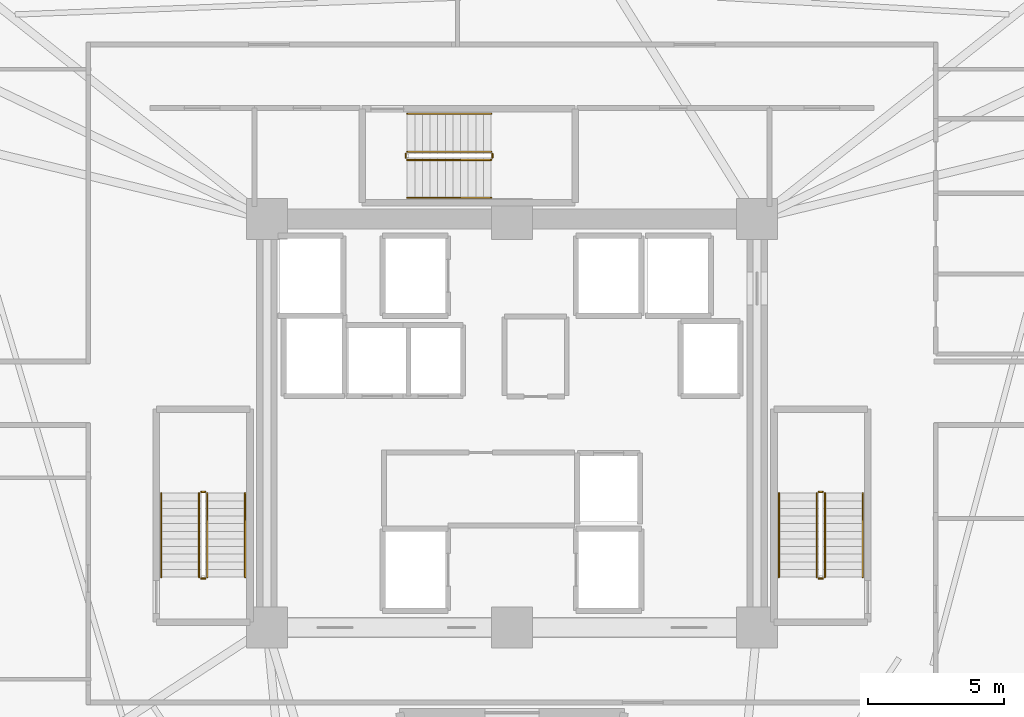
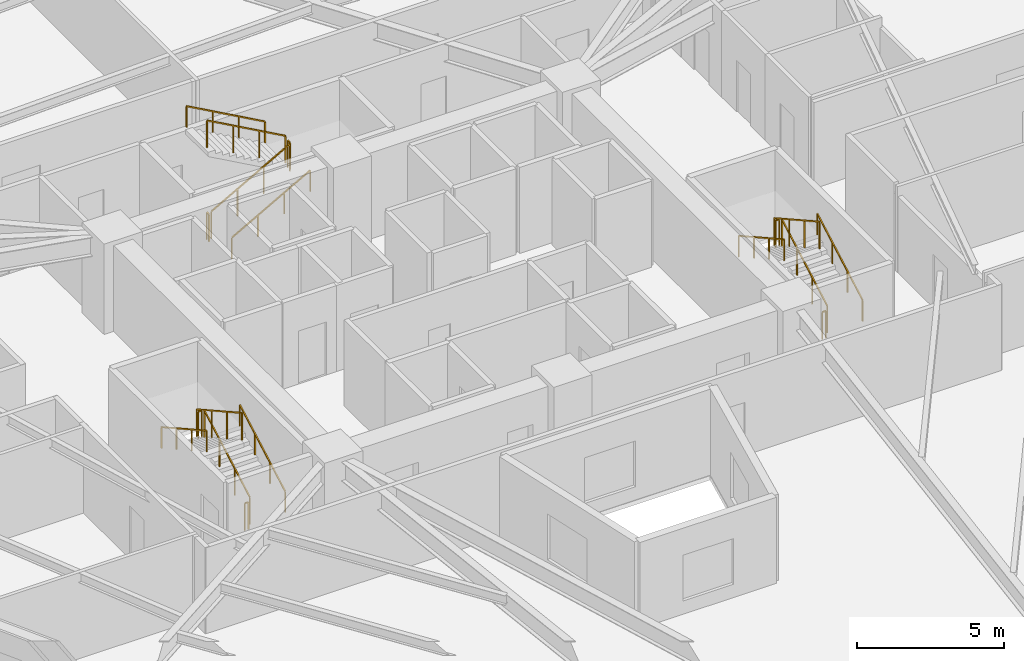
# One storey, part 7 of 7: 18 railings.
"""IFC4 building model written with IfcOpenShell, lengths in metres."""

from ifc_helpers import new_model, si_unit, direction, frame, origin, origin_2d, place, context, subcontext, project, spatial, rectangle, extrude, material, type_object, element, save


model = new_model("IFC4")

# Units and contexts
model_context = context("Model", 3, precision=1e-05, world=origin(), true_north=direction((0.0, 1.0)))
body_context = subcontext(model_context, "Body", "Model", "MODEL_VIEW")
ifc_project = project(units=[si_unit("LENGTHUNIT", "METRE"), si_unit("AREAUNIT", "SQUARE_METRE"), si_unit("VOLUMEUNIT", "CUBIC_METRE"), si_unit("PLANEANGLEUNIT", "RADIAN"), si_unit("MASSUNIT", "GRAM", prefix="KILO")], contexts=[model_context])

# Site, building, storey
site_placement = place(None, origin())
site = spatial("IfcSite", under=ifc_project, at=site_placement, CompositionType="ELEMENT")
building_placement = place(site_placement, origin())
building = spatial("IfcBuilding", under=site, at=building_placement, Name="Liaohun Quay Tower", CompositionType="ELEMENT")
storey_placement = place(building_placement, frame((0.0, 0.0, 113.25)))
storey = spatial("IfcBuildingStorey", under=building, at=storey_placement, Name="L29", CompositionType="ELEMENT", Elevation=113.25)

# Railings
ifc_material_1 = material(Name="Painted tubular steel", Category="steel")
railing_type_1 = type_object("IfcRailingType", Name="RLG-GUARD-STR", PredefinedType="GUARDRAIL", material=ifc_material_1)
railing_1_placement = place(storey_placement, frame((48.81005859375, 48.35009765625, 0.15625)))
element("IfcRailing", 1, at=railing_1_placement, inside=storey, type_object=railing_type_1, Name="L29 ST-1 stair guard 1", PredefinedType="GUARDRAIL", context=body_context, shape_type="SweptSolid", body=[
    extrude(rectangle(XDim=0.048095703125, YDim=0.048095703125, at=origin_2d()), frame((0.0, 0.0, 1.1259765625), z_axis=(0.0, 0.873225103656, 0.487317061414), x_axis=(-1.0, 0.0, 0.0)), (0.0, 0.0, 1.0), 3.52685546875),
    extrude(rectangle(XDim=0.0419921875, YDim=0.0419921875, at=origin_2d()), origin(), (0.0, 0.0, 1.0), 1.101806640625),
    extrude(rectangle(XDim=0.0419921875, YDim=0.0419921875, at=origin_2d()), frame((0.0, 1.026611328125, 0.572998046875)), (0.0, 0.0, 1.0), 1.101806640625),
    extrude(rectangle(XDim=0.0419921875, YDim=0.0419921875, at=origin_2d()), frame((0.0, 2.05322265625, 1.145751953125)), (0.0, 0.0, 1.0), 1.101806640625),
    extrude(rectangle(XDim=0.0419921875, YDim=0.0419921875, at=origin_2d()), frame((0.0, 3.079833984375, 1.71875)), (0.0, 0.0, 1.0), 1.101806640625),
])
railing_2_placement = place(storey_placement, frame((48.72998046875, 51.47998046875, 1.875)))
element("IfcRailing", 2, at=railing_2_placement, inside=storey, type_object=railing_type_1, Name="L29 ST-1 stair guard 2", PredefinedType="GUARDRAIL", context=body_context, shape_type="SweptSolid", body=[
    extrude(rectangle(XDim=0.048095703125, YDim=0.048095703125, at=origin_2d()), frame((0.0, 0.0, 1.1259765625), z_axis=(-1.0, 0.0, 0.0), x_axis=(0.0, -1.0, 0.0)), (0.0, 0.0, 1.0), 0.139892578125),
    extrude(rectangle(XDim=0.0419921875, YDim=0.0419921875, at=origin_2d()), origin(), (0.0, 0.0, 1.0), 1.101806640625),
    extrude(rectangle(XDim=0.0419921875, YDim=0.0419921875, at=origin_2d()), frame((-0.139892578125, 0.0, 0.0)), (0.0, 0.0, 1.0), 1.101806640625),
])
railing_3_placement = place(storey_placement, frame((48.510009765625, 51.429931640625, 2.03125)))
element("IfcRailing", 3, at=railing_3_placement, inside=storey, type_object=railing_type_1, Name="L29 ST-1 stair guard 3", PredefinedType="GUARDRAIL", context=body_context, shape_type="SweptSolid", body=[
    extrude(rectangle(XDim=0.048095703125, YDim=0.048095703125, at=origin_2d()), frame((0.0, 0.0, 1.1259765625), z_axis=(0.0, -0.873225103656, 0.487317061414), x_axis=(1.0, 0.0, 0.0)), (0.0, 0.0, 1.0), 3.52685546875),
    extrude(rectangle(XDim=0.0419921875, YDim=0.0419921875, at=origin_2d()), origin(), (0.0, 0.0, 1.0), 1.101806640625),
    extrude(rectangle(XDim=0.0419921875, YDim=0.0419921875, at=origin_2d()), frame((0.0, -1.026611328125, 0.572998046875)), (0.0, 0.0, 1.0), 1.101806640625),
    extrude(rectangle(XDim=0.0419921875, YDim=0.0419921875, at=origin_2d()), frame((0.0, -2.05322265625, 1.145751953125)), (0.0, 0.0, 1.0), 1.101806640625),
    extrude(rectangle(XDim=0.0419921875, YDim=0.0419921875, at=origin_2d()), frame((0.0, -3.079833984375, 1.71875)), (0.0, 0.0, 1.0), 1.101806640625),
])
railing_4_placement = place(storey_placement, frame((48.72998046875, 48.300048828125, 0.0)))
element("IfcRailing", 4, at=railing_4_placement, inside=storey, type_object=railing_type_1, Name="L29 ST-1 stair guard 4", PredefinedType="GUARDRAIL", context=body_context, shape_type="SweptSolid", body=[
    extrude(rectangle(XDim=0.048095703125, YDim=0.048095703125, at=origin_2d()), frame((0.0, 0.0, 1.1259765625), z_axis=(-1.0, 0.0, 0.0), x_axis=(0.0, -1.0, 0.0)), (0.0, 0.0, 1.0), 0.139892578125),
    extrude(rectangle(XDim=0.0419921875, YDim=0.0419921875, at=origin_2d()), origin(), (0.0, 0.0, 1.0), 1.101806640625),
    extrude(rectangle(XDim=0.0419921875, YDim=0.0419921875, at=origin_2d()), frame((-0.139892578125, 0.0, 0.0)), (0.0, 0.0, 1.0), 1.101806640625),
])
railing_5_placement = place(storey_placement, frame((71.489990234375, 48.35009765625, 0.15625)))
element("IfcRailing", 5, at=railing_5_placement, inside=storey, type_object=railing_type_1, Name="L29 ST-2 stair guard 1", PredefinedType="GUARDRAIL", context=body_context, shape_type="SweptSolid", body=[
    extrude(rectangle(XDim=0.048095703125, YDim=0.048095703125, at=origin_2d()), frame((0.0, 0.0, 1.1259765625), z_axis=(0.0, 0.873225103656, 0.487317061414), x_axis=(-1.0, 0.0, 0.0)), (0.0, 0.0, 1.0), 3.52685546875),
    extrude(rectangle(XDim=0.0419921875, YDim=0.0419921875, at=origin_2d()), origin(), (0.0, 0.0, 1.0), 1.101806640625),
    extrude(rectangle(XDim=0.0419921875, YDim=0.0419921875, at=origin_2d()), frame((0.0, 1.026611328125, 0.572998046875)), (0.0, 0.0, 1.0), 1.101806640625),
    extrude(rectangle(XDim=0.0419921875, YDim=0.0419921875, at=origin_2d()), frame((0.0, 2.05322265625, 1.145751953125)), (0.0, 0.0, 1.0), 1.101806640625),
    extrude(rectangle(XDim=0.0419921875, YDim=0.0419921875, at=origin_2d()), frame((0.0, 3.079833984375, 1.71875)), (0.0, 0.0, 1.0), 1.101806640625),
])
railing_6_placement = place(storey_placement, frame((71.409912109375, 51.47998046875, 1.875)))
element("IfcRailing", 6, at=railing_6_placement, inside=storey, type_object=railing_type_1, Name="L29 ST-2 stair guard 2", PredefinedType="GUARDRAIL", context=body_context, shape_type="SweptSolid", body=[
    extrude(rectangle(XDim=0.048095703125, YDim=0.048095703125, at=origin_2d()), frame((0.0, 0.0, 1.1259765625), z_axis=(-1.0, 0.0, 0.0), x_axis=(0.0, -1.0, 0.0)), (0.0, 0.0, 1.0), 0.139892578125),
    extrude(rectangle(XDim=0.0419921875, YDim=0.0419921875, at=origin_2d()), origin(), (0.0, 0.0, 1.0), 1.101806640625),
    extrude(rectangle(XDim=0.0419921875, YDim=0.0419921875, at=origin_2d()), frame((-0.139892578125, 0.0, 0.0)), (0.0, 0.0, 1.0), 1.101806640625),
])
railing_7_placement = place(storey_placement, frame((71.18994140625, 51.429931640625, 2.03125)))
element("IfcRailing", 7, at=railing_7_placement, inside=storey, type_object=railing_type_1, Name="L29 ST-2 stair guard 3", PredefinedType="GUARDRAIL", context=body_context, shape_type="SweptSolid", body=[
    extrude(rectangle(XDim=0.048095703125, YDim=0.048095703125, at=origin_2d()), frame((0.0, 0.0, 1.1259765625), z_axis=(0.0, -0.873225103656, 0.487317061414), x_axis=(1.0, 0.0, 0.0)), (0.0, 0.0, 1.0), 3.52685546875),
    extrude(rectangle(XDim=0.0419921875, YDim=0.0419921875, at=origin_2d()), origin(), (0.0, 0.0, 1.0), 1.101806640625),
    extrude(rectangle(XDim=0.0419921875, YDim=0.0419921875, at=origin_2d()), frame((0.0, -1.026611328125, 0.572998046875)), (0.0, 0.0, 1.0), 1.101806640625),
    extrude(rectangle(XDim=0.0419921875, YDim=0.0419921875, at=origin_2d()), frame((0.0, -2.05322265625, 1.145751953125)), (0.0, 0.0, 1.0), 1.101806640625),
    extrude(rectangle(XDim=0.0419921875, YDim=0.0419921875, at=origin_2d()), frame((0.0, -3.079833984375, 1.71875)), (0.0, 0.0, 1.0), 1.101806640625),
])
railing_8_placement = place(storey_placement, frame((71.409912109375, 48.300048828125, 0.0)))
element("IfcRailing", 8, at=railing_8_placement, inside=storey, type_object=railing_type_1, Name="L29 ST-2 stair guard 4", PredefinedType="GUARDRAIL", context=body_context, shape_type="SweptSolid", body=[
    extrude(rectangle(XDim=0.048095703125, YDim=0.048095703125, at=origin_2d()), frame((0.0, 0.0, 1.1259765625), z_axis=(-1.0, 0.0, 0.0), x_axis=(0.0, -1.0, 0.0)), (0.0, 0.0, 1.0), 0.139892578125),
    extrude(rectangle(XDim=0.0419921875, YDim=0.0419921875, at=origin_2d()), origin(), (0.0, 0.0, 1.0), 1.101806640625),
    extrude(rectangle(XDim=0.0419921875, YDim=0.0419921875, at=origin_2d()), frame((-0.139892578125, 0.0, 0.0)), (0.0, 0.0, 1.0), 1.101806640625),
])
railing_9_placement = place(storey_placement, frame((56.14990234375, 63.669921875, 0.15625)))
element("IfcRailing", 9, at=railing_9_placement, inside=storey, type_object=railing_type_1, Name="L29 ST-3 stair guard 1", PredefinedType="GUARDRAIL", context=body_context, shape_type="SweptSolid", body=[
    extrude(rectangle(XDim=0.048095703125, YDim=0.048095703125, at=origin_2d()), frame((0.0, 0.0, 1.1259765625), z_axis=(0.873241540666, 0.0, 0.487287606713), x_axis=(0.0, 1.0, 0.0)), (0.0, 0.0, 1.0), 3.527099609375),
    extrude(rectangle(XDim=0.0419921875, YDim=0.0419921875, at=origin_2d()), origin(), (0.0, 0.0, 1.0), 1.101806640625),
    extrude(rectangle(XDim=0.0419921875, YDim=0.0419921875, at=origin_2d()), frame((1.026611328125, 0.0, 0.572998046875)), (0.0, 0.0, 1.0), 1.101806640625),
    extrude(rectangle(XDim=0.0419921875, YDim=0.0419921875, at=origin_2d()), frame((2.053466796875, 0.0, 1.145751953125)), (0.0, 0.0, 1.0), 1.101806640625),
    extrude(rectangle(XDim=0.0419921875, YDim=0.0419921875, at=origin_2d()), frame((3.080078125, 0.0, 1.71875)), (0.0, 0.0, 1.0), 1.101806640625),
])
railing_10_placement = place(storey_placement, frame((59.280029296875, 63.75, 1.875)))
element("IfcRailing", 10, at=railing_10_placement, inside=storey, type_object=railing_type_1, Name="L29 ST-3 stair guard 2", PredefinedType="GUARDRAIL", context=body_context, shape_type="SweptSolid", body=[
    extrude(rectangle(XDim=0.048095703125, YDim=0.048095703125, at=origin_2d()), frame((0.0, 0.0, 1.1259765625), z_axis=(0.0, 1.0, 0.0), x_axis=(-1.0, 0.0, 0.0)), (0.0, 0.0, 1.0), 0.139892578125),
    extrude(rectangle(XDim=0.0419921875, YDim=0.0419921875, at=origin_2d()), origin(), (0.0, 0.0, 1.0), 1.101806640625),
    extrude(rectangle(XDim=0.0419921875, YDim=0.0419921875, at=origin_2d()), frame((0.0, 0.139892578125, 0.0)), (0.0, 0.0, 1.0), 1.101806640625),
])
railing_11_placement = place(storey_placement, frame((59.22998046875, 63.969970703125, 2.03125)))
element("IfcRailing", 11, at=railing_11_placement, inside=storey, type_object=railing_type_1, Name="L29 ST-3 stair guard 3", PredefinedType="GUARDRAIL", context=body_context, shape_type="SweptSolid", body=[
    extrude(rectangle(XDim=0.048095703125, YDim=0.048095703125, at=origin_2d()), frame((0.0, 0.0, 1.1259765625), z_axis=(-0.873241540666, 0.0, 0.487287606713), x_axis=(0.0, -1.0, 0.0)), (0.0, 0.0, 1.0), 3.527099609375),
    extrude(rectangle(XDim=0.0419921875, YDim=0.0419921875, at=origin_2d()), origin(), (0.0, 0.0, 1.0), 1.101806640625),
    extrude(rectangle(XDim=0.0419921875, YDim=0.0419921875, at=origin_2d()), frame((-1.026611328125, 0.0, 0.572998046875)), (0.0, 0.0, 1.0), 1.101806640625),
    extrude(rectangle(XDim=0.0419921875, YDim=0.0419921875, at=origin_2d()), frame((-2.053466796875, 0.0, 1.145751953125)), (0.0, 0.0, 1.0), 1.101806640625),
    extrude(rectangle(XDim=0.0419921875, YDim=0.0419921875, at=origin_2d()), frame((-3.080078125, 0.0, 1.71875)), (0.0, 0.0, 1.0), 1.101806640625),
])
railing_12_placement = place(storey_placement, frame((56.10009765625, 63.75, 0.0)))
element("IfcRailing", 12, at=railing_12_placement, inside=storey, type_object=railing_type_1, Name="L29 ST-3 stair guard 4", PredefinedType="GUARDRAIL", context=body_context, shape_type="SweptSolid", body=[
    extrude(rectangle(XDim=0.048095703125, YDim=0.048095703125, at=origin_2d()), frame((0.0, 0.0, 1.1259765625), z_axis=(0.0, 1.0, 0.0), x_axis=(-1.0, 0.0, 0.0)), (0.0, 0.0, 1.0), 0.139892578125),
    extrude(rectangle(XDim=0.0419921875, YDim=0.0419921875, at=origin_2d()), origin(), (0.0, 0.0, 1.0), 1.101806640625),
    extrude(rectangle(XDim=0.0419921875, YDim=0.0419921875, at=origin_2d()), frame((0.0, 0.139892578125, 0.0)), (0.0, 0.0, 1.0), 1.101806640625),
])
ifc_material_2 = material(Name="Brushed stainless steel", Category="steel")
railing_type_2 = type_object("IfcRailingType", Name="RLG-HND-STR", PredefinedType="HANDRAIL", material=ifc_material_2)
railing_13_placement = place(storey_placement, frame((50.199951171875, 48.35009765625, 0.15625)))
element("IfcRailing", 13, at=railing_13_placement, inside=storey, type_object=railing_type_2, Name="L29 ST-1 stair handrail 1", PredefinedType="HANDRAIL", context=body_context, shape_type="SweptSolid", body=[
    extrude(rectangle(XDim=0.048095703125, YDim=0.048095703125, at=origin_2d()), frame((0.0, 0.0, 0.8759765625), z_axis=(0.0, 0.873225103656, 0.487317061414), x_axis=(-1.0, 0.0, 0.0)), (0.0, 0.0, 1.0), 3.52685546875),
    extrude(rectangle(XDim=0.0419921875, YDim=0.0419921875, at=origin_2d()), origin(), (0.0, 0.0, 1.0), 0.851806640625),
    extrude(rectangle(XDim=0.0419921875, YDim=0.0419921875, at=origin_2d()), frame((0.0, 1.026611328125, 0.572998046875)), (0.0, 0.0, 1.0), 0.851806640625),
    extrude(rectangle(XDim=0.0419921875, YDim=0.0419921875, at=origin_2d()), frame((0.0, 2.05322265625, 1.145751953125)), (0.0, 0.0, 1.0), 0.851806640625),
    extrude(rectangle(XDim=0.0419921875, YDim=0.0419921875, at=origin_2d()), frame((0.0, 3.079833984375, 1.71875)), (0.0, 0.0, 1.0), 0.851806640625),
])
railing_14_placement = place(storey_placement, frame((47.1201171875, 51.429931640625, 2.03125)))
element("IfcRailing", 14, at=railing_14_placement, inside=storey, type_object=railing_type_2, Name="L29 ST-1 stair handrail 2", PredefinedType="HANDRAIL", context=body_context, shape_type="SweptSolid", body=[
    extrude(rectangle(XDim=0.048095703125, YDim=0.048095703125, at=origin_2d()), frame((0.0, 0.0, 0.8759765625), z_axis=(0.0, -0.873225103656, 0.487317061414), x_axis=(1.0, 0.0, 0.0)), (0.0, 0.0, 1.0), 3.52685546875),
    extrude(rectangle(XDim=0.0419921875, YDim=0.0419921875, at=origin_2d()), origin(), (0.0, 0.0, 1.0), 0.851806640625),
    extrude(rectangle(XDim=0.0419921875, YDim=0.0419921875, at=origin_2d()), frame((0.0, -1.026611328125, 0.572998046875)), (0.0, 0.0, 1.0), 0.851806640625),
    extrude(rectangle(XDim=0.0419921875, YDim=0.0419921875, at=origin_2d()), frame((0.0, -2.05322265625, 1.145751953125)), (0.0, 0.0, 1.0), 0.851806640625),
    extrude(rectangle(XDim=0.0419921875, YDim=0.0419921875, at=origin_2d()), frame((0.0, -3.079833984375, 1.71875)), (0.0, 0.0, 1.0), 0.851806640625),
])
railing_15_placement = place(storey_placement, frame((72.8798828125, 48.35009765625, 0.15625)))
element("IfcRailing", 15, at=railing_15_placement, inside=storey, type_object=railing_type_2, Name="L29 ST-2 stair handrail 1", PredefinedType="HANDRAIL", context=body_context, shape_type="SweptSolid", body=[
    extrude(rectangle(XDim=0.048095703125, YDim=0.048095703125, at=origin_2d()), frame((0.0, 0.0, 0.8759765625), z_axis=(0.0, 0.873225103656, 0.487317061414), x_axis=(-1.0, 0.0, 0.0)), (0.0, 0.0, 1.0), 3.52685546875),
    extrude(rectangle(XDim=0.0419921875, YDim=0.0419921875, at=origin_2d()), origin(), (0.0, 0.0, 1.0), 0.851806640625),
    extrude(rectangle(XDim=0.0419921875, YDim=0.0419921875, at=origin_2d()), frame((0.0, 1.026611328125, 0.572998046875)), (0.0, 0.0, 1.0), 0.851806640625),
    extrude(rectangle(XDim=0.0419921875, YDim=0.0419921875, at=origin_2d()), frame((0.0, 2.05322265625, 1.145751953125)), (0.0, 0.0, 1.0), 0.851806640625),
    extrude(rectangle(XDim=0.0419921875, YDim=0.0419921875, at=origin_2d()), frame((0.0, 3.079833984375, 1.71875)), (0.0, 0.0, 1.0), 0.851806640625),
])
railing_16_placement = place(storey_placement, frame((69.800048828125, 51.429931640625, 2.03125)))
element("IfcRailing", 16, at=railing_16_placement, inside=storey, type_object=railing_type_2, Name="L29 ST-2 stair handrail 2", PredefinedType="HANDRAIL", context=body_context, shape_type="SweptSolid", body=[
    extrude(rectangle(XDim=0.048095703125, YDim=0.048095703125, at=origin_2d()), frame((0.0, 0.0, 0.8759765625), z_axis=(0.0, -0.873225103656, 0.487317061414), x_axis=(1.0, 0.0, 0.0)), (0.0, 0.0, 1.0), 3.52685546875),
    extrude(rectangle(XDim=0.0419921875, YDim=0.0419921875, at=origin_2d()), origin(), (0.0, 0.0, 1.0), 0.851806640625),
    extrude(rectangle(XDim=0.0419921875, YDim=0.0419921875, at=origin_2d()), frame((0.0, -1.026611328125, 0.572998046875)), (0.0, 0.0, 1.0), 0.851806640625),
    extrude(rectangle(XDim=0.0419921875, YDim=0.0419921875, at=origin_2d()), frame((0.0, -2.05322265625, 1.145751953125)), (0.0, 0.0, 1.0), 0.851806640625),
    extrude(rectangle(XDim=0.0419921875, YDim=0.0419921875, at=origin_2d()), frame((0.0, -3.079833984375, 1.71875)), (0.0, 0.0, 1.0), 0.851806640625),
])
railing_17_placement = place(storey_placement, frame((56.14990234375, 62.280029296875, 0.15625)))
element("IfcRailing", 17, at=railing_17_placement, inside=storey, type_object=railing_type_2, Name="L29 ST-3 stair handrail 1", PredefinedType="HANDRAIL", context=body_context, shape_type="SweptSolid", body=[
    extrude(rectangle(XDim=0.048095703125, YDim=0.048095703125, at=origin_2d()), frame((0.0, 0.0, 0.8759765625), z_axis=(0.873241540666, 0.0, 0.487287606713), x_axis=(0.0, 1.0, 0.0)), (0.0, 0.0, 1.0), 3.527099609375),
    extrude(rectangle(XDim=0.0419921875, YDim=0.0419921875, at=origin_2d()), origin(), (0.0, 0.0, 1.0), 0.851806640625),
    extrude(rectangle(XDim=0.0419921875, YDim=0.0419921875, at=origin_2d()), frame((1.026611328125, 0.0, 0.572998046875)), (0.0, 0.0, 1.0), 0.851806640625),
    extrude(rectangle(XDim=0.0419921875, YDim=0.0419921875, at=origin_2d()), frame((2.053466796875, 0.0, 1.145751953125)), (0.0, 0.0, 1.0), 0.851806640625),
    extrude(rectangle(XDim=0.0419921875, YDim=0.0419921875, at=origin_2d()), frame((3.080078125, 0.0, 1.71875)), (0.0, 0.0, 1.0), 0.851806640625),
])
railing_18_placement = place(storey_placement, frame((59.22998046875, 65.360107421875, 2.03125)))
element("IfcRailing", 18, at=railing_18_placement, inside=storey, type_object=railing_type_2, Name="L29 ST-3 stair handrail 2", PredefinedType="HANDRAIL", context=body_context, shape_type="SweptSolid", body=[
    extrude(rectangle(XDim=0.048095703125, YDim=0.048095703125, at=origin_2d()), frame((0.0, 0.0, 0.8759765625), z_axis=(-0.873241540666, 0.0, 0.487287606713), x_axis=(0.0, -1.0, 0.0)), (0.0, 0.0, 1.0), 3.527099609375),
    extrude(rectangle(XDim=0.0419921875, YDim=0.0419921875, at=origin_2d()), origin(), (0.0, 0.0, 1.0), 0.851806640625),
    extrude(rectangle(XDim=0.0419921875, YDim=0.0419921875, at=origin_2d()), frame((-1.026611328125, 0.0, 0.572998046875)), (0.0, 0.0, 1.0), 0.851806640625),
    extrude(rectangle(XDim=0.0419921875, YDim=0.0419921875, at=origin_2d()), frame((-2.053466796875, 0.0, 1.145751953125)), (0.0, 0.0, 1.0), 0.851806640625),
    extrude(rectangle(XDim=0.0419921875, YDim=0.0419921875, at=origin_2d()), frame((-3.080078125, 0.0, 1.71875)), (0.0, 0.0, 1.0), 0.851806640625),
])

save(model, "model.ifc")
